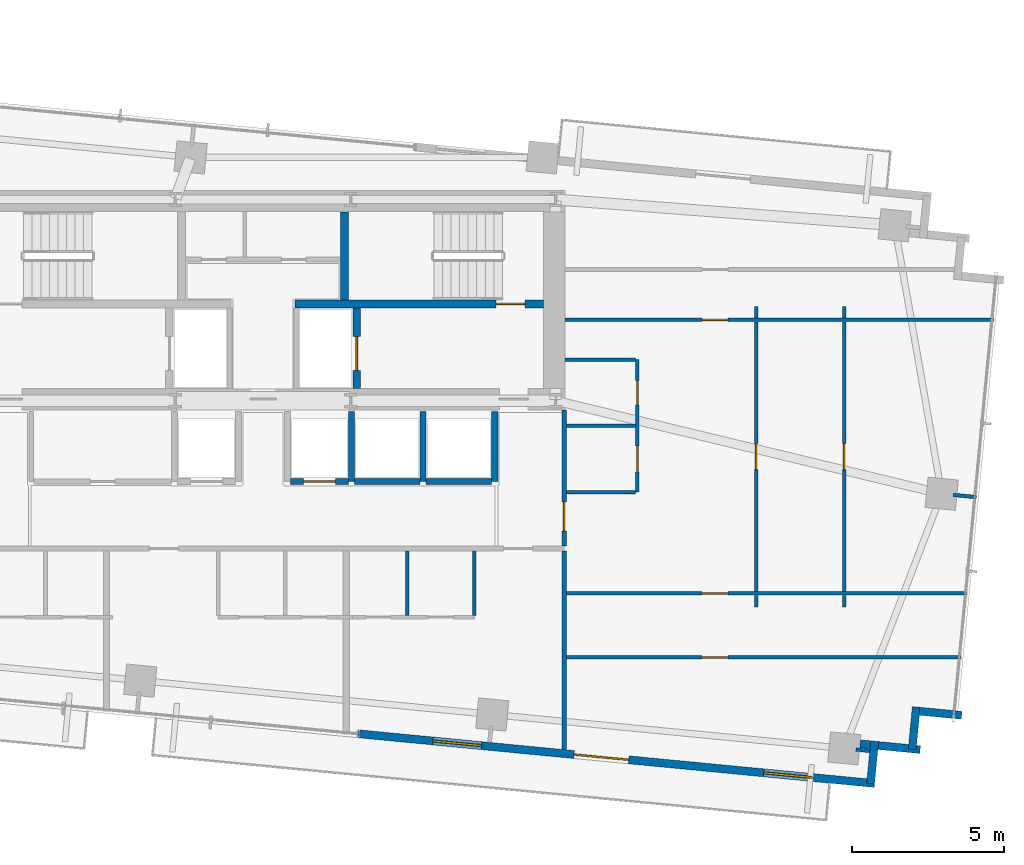
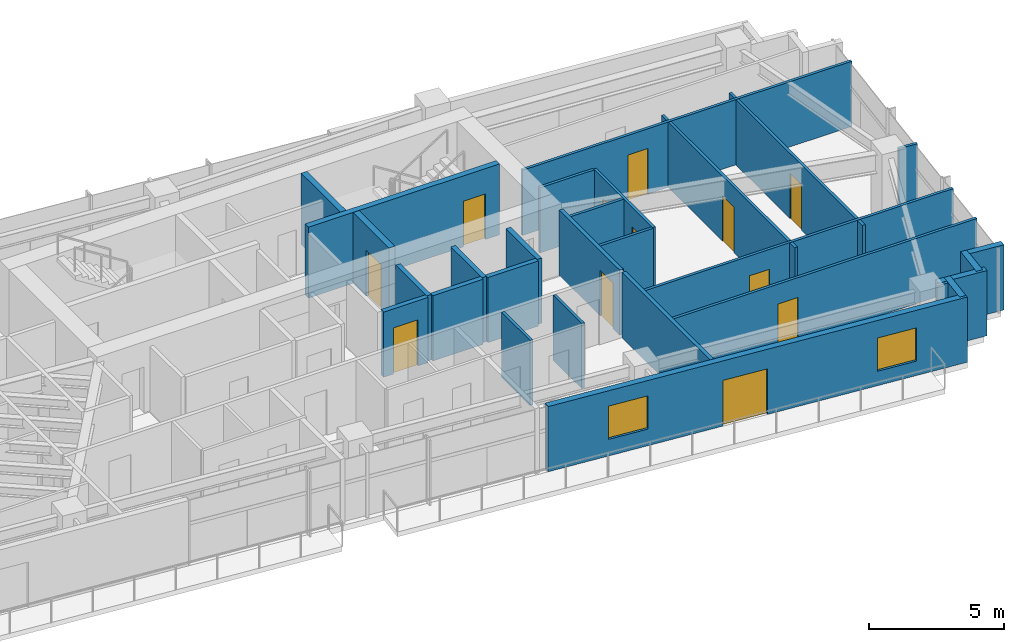
# One storey, part 17 of 20: 33 walls, 12 doors, 2 windows, 14 openings.
"""IFC4 building model written with IfcOpenShell, lengths in metres."""

from ifc_helpers import new_model, si_unit, direction, frame, frame_2d, origin, place, context, subcontext, project, spatial, rectangle, extrude, source, transform, mapped, material, layer, layer_set, type_object, type_shapes, element, fill, save


model = new_model("IFC4")

# Units and contexts
model_context = context("Model", 3, precision=1e-05, world=origin(), true_north=direction((0.0, 1.0)))
body_context = subcontext(model_context, "Body", "Model", "MODEL_VIEW")
ifc_project = project(units=[si_unit("LENGTHUNIT", "METRE"), si_unit("AREAUNIT", "SQUARE_METRE"), si_unit("VOLUMEUNIT", "CUBIC_METRE"), si_unit("PLANEANGLEUNIT", "RADIAN"), si_unit("MASSUNIT", "GRAM", prefix="KILO")], contexts=[model_context])

# Site, building, storey
site_placement = place(None, origin())
site = spatial("IfcSite", under=ifc_project, at=site_placement, CompositionType="ELEMENT")
building_placement = place(site_placement, origin())
building = spatial("IfcBuilding", under=site, at=building_placement, Name="Astriad Promenade Condominiums", CompositionType="ELEMENT")
storey_placement = place(building_placement, frame((0.0, 0.0, 153.39990234375)))
storey = spatial("IfcBuildingStorey", under=building, at=storey_placement, Name="L44", CompositionType="ELEMENT", Elevation=153.39990234375)

# Wall, opening, door
ifc_material_1 = material(Name="Concrete C50/60", Category="concrete")
ifc_layer_1 = layer(ifc_material_1, 0.25)
ifc_layer_set_1 = layer_set([ifc_layer_1], Name="Concrete C50/60")
wall_type_1 = type_object("IfcWallType", Name="WALL-CORE-INT-250", PredefinedType="SOLIDWALL", material=ifc_layer_set_1)
wall_1_placement = place(storey_placement, frame((37.050048828125, 20.574951171875, 0.0), z_axis=(0.0, 0.0, 1.0), x_axis=(1.0, 0.0, 0.0)))
wall_1 = element("IfcWall", 1, at=wall_1_placement, inside=storey, type_object=wall_type_1, Name="CW-INT-H2-L44", PredefinedType="SOLIDWALL", context=body_context, shape_type="SweptSolid", body=[
    extrude(rectangle(XDim=8.14794921875, YDim=0.25, at=frame_2d((4.073974609375, 0.0))), origin(), (0.0, 0.0, 1.0), 3.2001953125),
])
opening_1_placement = place(wall_1_placement, frame((6.60009765625, 0.0, 0.0)))
opening_1 = element("IfcOpeningElement", 2, at=opening_1_placement, cuts=wall_1, Name="Opening FD90-ST-095", PredefinedType="OPENING", context=body_context, shape_type="SweptSolid", body=[
    extrude(rectangle(XDim=0.949951171875, YDim=2.06005859375, at=frame_2d((0.47509765625, 1.030029296875))), frame((0.0, 0.135009765625, 0.0), z_axis=(0.0, -1.0, 0.0), x_axis=(1.0, 0.0, 0.0)), (0.0, 0.0, 1.0), 0.27001953125),
])
ifc_material_2 = material(Name="Fire-Rated Hollow Metal Stair Door")
door_type_1 = type_object("IfcDoorType", Name="FD90-ST-095", OperationType="NOTDEFINED", PredefinedType="DOOR", material=ifc_material_2)
shared_shape_1 = source(origin(), body_context, "Body", "SweptSolid", [
    extrude(rectangle(XDim=0.949951171875, YDim=2.06005859375, at=frame_2d((0.47509765625, 1.030029296875))), frame((0.0, 0.02490234375, 0.0), z_axis=(0.0, -1.0, 0.0), x_axis=(1.0, 0.0, 0.0)), (0.0, 0.0, 1.0), 0.050048828125),
])
type_shapes(door_type_1, [shared_shape_1])
door_1_placement = place(opening_1_placement, origin())
door_1 = element("IfcDoor", 3, at=door_1_placement, inside=storey, type_object=door_type_1, Name="D-ST2-L44", OperationType="SINGLE_SWING_RIGHT", OverallHeight=2.06005859375, OverallWidth=0.949951171875, PredefinedType="DOOR", context=body_context, shape_type="MappedRepresentation", body=[
    mapped(shared_shape_1, transform((0.0, 0.0, 0.0), scale=1.0)),
])
fill(opening_1, door_1)

# Wall
wall_2_placement = place(storey_placement, frame((38.675048828125, 20.701904296875, 0.0), z_axis=(0.0, 0.0, 1.0), x_axis=(0.0, 1.0, 0.0)))
element("IfcWall", 4, at=wall_2_placement, inside=storey, type_object=wall_type_1, Name="CW-ST2-W-L44", PredefinedType="SOLIDWALL", context=body_context, shape_type="SweptSolid", body=[
    extrude(rectangle(XDim=2.89599609375, YDim=0.25, at=frame_2d((1.447998046875, 0.0))), origin(), (0.0, 0.0, 1.0), 3.2001953125),
])

# Wall, opening, door
wall_3_placement = place(storey_placement, frame((39.074951171875, 17.802001953125, 0.0), z_axis=(0.0, 0.0, 1.0), x_axis=(0.0, 1.0, 0.0)))
wall_3 = element("IfcWall", 5, at=wall_3_placement, inside=storey, type_object=wall_type_1, Name="CW-FFL2-E-L44", PredefinedType="SOLIDWALL", context=body_context, shape_type="SweptSolid", body=[
    extrude(rectangle(XDim=2.64599609375, YDim=0.25, at=frame_2d((1.322998046875, 0.0))), origin(), (0.0, 0.0, 1.0), 3.2001953125),
])
opening_2_placement = place(wall_3_placement, frame((0.597900390625, 0.0, 0.0)))
opening_2 = element("IfcOpeningElement", 6, at=opening_2_placement, cuts=wall_3, Name="Opening LD-FFL-1122", PredefinedType="OPENING", context=body_context, shape_type="SweptSolid", body=[
    extrude(rectangle(XDim=1.10009765625, YDim=2.080078125, at=frame_2d((0.550048828125, 1.0400390625))), frame((0.0, 0.135009765625, 0.0), z_axis=(0.0, -1.0, 0.0), x_axis=(1.0, 0.0, 0.0)), (0.0, 0.0, 1.0), 0.27001953125),
])
ifc_material_3 = material(Name="Brushed Stainless Steel Fire Elevator Landing Door", Category="steel")
door_type_2 = type_object("IfcDoorType", Name="LD-FFL-1122", OperationType="NOTDEFINED", PredefinedType="DOOR", material=ifc_material_3)
shared_shape_2 = source(origin(), body_context, "Body", "SweptSolid", [
    extrude(rectangle(XDim=1.10009765625, YDim=2.080078125, at=frame_2d((0.550048828125, 1.0400390625))), frame((0.0, 0.02490234375, 0.0), z_axis=(0.0, -1.0, 0.0), x_axis=(1.0, 0.0, 0.0)), (0.0, 0.0, 1.0), 0.050048828125),
])
type_shapes(door_type_2, [shared_shape_2])
door_2_placement = place(opening_2_placement, origin())
door_2 = element("IfcDoor", 7, at=door_2_placement, inside=storey, type_object=door_type_2, Name="Elevator Landing Door FFL-2 (L44)", OperationType="SLIDING_TO_RIGHT", OverallHeight=2.080078125, OverallWidth=1.10009765625, PredefinedType="DOOR", context=body_context, shape_type="MappedRepresentation", body=[
    mapped(shared_shape_2, transform((0.0, 0.0, 0.0), scale=1.0)),
])
fill(opening_2, door_2)

# Wall
ifc_material_4 = material(Name="Fire-Rated Gypsum Partition")
ifc_layer_2 = layer(ifc_material_4, 0.159912109375)
ifc_layer_set_2 = layer_set([ifc_layer_2], Name="Fire-Rated Gypsum Partition")
wall_type_2 = type_object("IfcWallType", Name="WALL-CORR-160", PredefinedType="PARTITIONING", material=ifc_layer_set_2)
wall_4_placement = place(storey_placement, frame((45.8798828125, 5.95849609375, 0.0), z_axis=(0.0, 0.0, 1.0), x_axis=(0.0, 1.0, 0.0)))
element("IfcWall", 8, at=wall_4_placement, inside=storey, type_object=wall_type_2, Name="PT-COR-E-L44", PredefinedType="PARTITIONING", context=body_context, shape_type="SweptSolid", body=[
    extrude(rectangle(XDim=6.509521484375, YDim=0.159912109375, at=frame_2d((3.2548828125, 0.0))), origin(), (0.0, 0.0, 1.0), 2.940185546875),
])

# Wall, opening, door
wall_5_placement = place(storey_placement, frame((45.8798828125, 12.632080078125, 0.0), z_axis=(0.0, 0.0, 1.0), x_axis=(0.0, 1.0, 0.0)))
wall_5 = element("IfcWall", 9, at=wall_5_placement, inside=storey, type_object=wall_type_2, Name="PT-COR-E-L44-S2", PredefinedType="PARTITIONING", context=body_context, shape_type="SweptSolid", body=[
    extrude(rectangle(XDim=4.4658203125, YDim=0.159912109375, at=frame_2d((2.23291015625, 0.0))), origin(), (0.0, 0.0, 1.0), 2.940185546875),
])
opening_3_placement = place(wall_5_placement, frame((0.492919921875, 0.0, 0.0)))
opening_3 = element("IfcOpeningElement", 10, at=opening_3_placement, cuts=wall_5, Name="Opening FD60-APT-095", PredefinedType="OPENING", context=body_context, shape_type="SweptSolid", body=[
    extrude(rectangle(XDim=0.949951171875, YDim=2.06005859375, at=frame_2d((0.47509765625, 1.030029296875))), frame((0.0, 0.08984375, 0.0), z_axis=(0.0, -1.0, 0.0), x_axis=(1.0, 0.0, 0.0)), (0.0, 0.0, 1.0), 0.179931640625),
])
ifc_material_5 = material(Name="Solid-Core Acoustic Timber Residence Entry Door", Category="wood")
door_type_3 = type_object("IfcDoorType", Name="FD60-APT-095", OperationType="NOTDEFINED", PredefinedType="DOOR", material=ifc_material_5)
shared_shape_3 = source(origin(), body_context, "Body", "SweptSolid", [
    extrude(rectangle(XDim=0.949951171875, YDim=2.06005859375, at=frame_2d((0.47509765625, 1.030029296875))), frame((0.0, 0.02490234375, 0.0), z_axis=(0.0, -1.0, 0.0), x_axis=(1.0, 0.0, 0.0)), (0.0, 0.0, 1.0), 0.050048828125),
])
type_shapes(door_type_3, [shared_shape_3])
door_3_placement = place(opening_3_placement, origin())
door_3 = element("IfcDoor", 11, at=door_3_placement, inside=storey, type_object=door_type_3, Name="D-ENT-L44-E1", OperationType="SINGLE_SWING_LEFT", OverallHeight=2.06005859375, OverallWidth=0.949951171875, PredefinedType="DOOR", context=body_context, shape_type="MappedRepresentation", body=[
    mapped(shared_shape_3, transform((0.0, 0.0, 0.0), scale=1.0)),
])
fill(opening_3, door_3)

# Walls
ifc_material_6 = material(Name="Precast concrete C50/60", Category="concrete")
ifc_layer_3 = layer(ifc_material_6, 0.260009765625)
ifc_layer_set_3 = layer_set([ifc_layer_3], Name="Precast concrete C50/60")
wall_type_3 = type_object("IfcWallType", Name="WALL-EXT-TWR-260", PredefinedType="STANDARD", material=ifc_layer_set_3)
for number, where, z_axis, x_axis, name in (
    (12, (58.918701171875, 7.081787109375, 0.0), (0.0, 0.0, 1.0), (-0.995389446633, 0.095915846097, 0.0), "W-SER-L44-14"),
    (13, (57.42822265625, 7.35595703125, 0.0), (0.0, 0.0, 1.0), (-0.095915846097, -0.995389446633, 0.0), "W-SER-L44-15"),
):
    element("IfcWall", number, at=place(storey_placement, frame(where, z_axis=z_axis, x_axis=x_axis)), inside=storey, type_object=wall_type_3, Name=name, PredefinedType="STANDARD", context=body_context, shape_type="SweptSolid", body=[
        extrude(rectangle(XDim=1.394775390625, YDim=0.260009765625, at=frame_2d((0.697265625, 0.0))), origin(), (0.0, 0.0, 1.0), 2.940185546875),
    ])
wall_6_placement = place(storey_placement, frame((57.5546875, 5.95751953125, 0.0), z_axis=(0.0, 0.0, 1.0), x_axis=(-0.995401789159, 0.095787672171, 0.0)))
element("IfcWall", 14, at=wall_6_placement, inside=storey, type_object=wall_type_3, Name="W-SER-L44-16", PredefinedType="STANDARD", context=body_context, shape_type="SweptSolid", body=[
    extrude(rectangle(XDim=1.977783203125, YDim=0.260009765625, at=frame_2d((0.98876953125, 0.0))), origin(), (0.0, 0.0, 1.0), 2.940185546875),
])
wall_7_placement = place(storey_placement, frame((56.064208984375, 6.231689453125, 0.0), z_axis=(0.0, 0.0, 1.0), x_axis=(-0.09589913835, -0.995391056452, 0.0)))
element("IfcWall", 15, at=wall_7_placement, inside=storey, type_object=wall_type_3, Name="W-SER-L44-17", PredefinedType="STANDARD", context=body_context, shape_type="SweptSolid", body=[
    extrude(rectangle(XDim=1.39501953125, YDim=0.260009765625, at=frame_2d((0.697509765625, 0.0))), origin(), (0.0, 0.0, 1.0), 2.940185546875),
])

# Wall, openings, door, windows
wall_8_placement = place(storey_placement, frame((56.061279296875, 4.845458984375, 0.0), z_axis=(0.0, 0.0, 1.0), x_axis=(-0.995395976631, 0.095848055311, 0.0)))
wall_8 = element("IfcWall", 16, at=wall_8_placement, inside=storey, type_object=wall_type_3, Name="W-EXT-L44-S1", PredefinedType="STANDARD", context=body_context, shape_type="SweptSolid", body=[
    extrude(rectangle(XDim=17.010009765625, YDim=0.260009765625, at=frame_2d((8.5048828125, 0.0))), origin(), (0.0, 0.0, 1.0), 2.940185546875),
])
opening_4_placement = place(wall_8_placement, frame((8.10400390625, 0.0, 0.0)))
opening_4 = element("IfcOpeningElement", 17, at=opening_4_placement, cuts=wall_8, Name="Opening BD-1822-SLD", PredefinedType="OPENING", context=body_context, shape_type="SweptSolid", body=[
    extrude(rectangle(XDim=1.800048828125, YDim=2.06005859375, at=frame_2d((0.89990234375, 1.030029296875))), frame((0.0, 0.139892578125, 0.0), z_axis=(0.0, -1.0, 0.0), x_axis=(1.0, 0.0, 0.0)), (0.0, 0.0, 1.0), 0.280029296875),
])
opening_5_placement = place(wall_8_placement, frame((2.050048828125, 0.0, 0.64990234375)))
opening_5 = element("IfcOpeningElement", 18, at=opening_5_placement, cuts=wall_8, Name="Opening WIN-TWR-1620", PredefinedType="OPENING", context=body_context, shape_type="SweptSolid", body=[
    extrude(rectangle(XDim=1.60009765625, YDim=1.5, at=frame_2d((0.800048828125, 0.75))), frame((0.0, 0.139892578125, 0.0), z_axis=(0.0, -1.0, 0.0), x_axis=(1.0, 0.0, 0.0)), (0.0, 0.0, 1.0), 0.280029296875),
])
opening_6_placement = place(wall_8_placement, frame((12.951904296875, 0.0, 0.75)))
opening_6 = element("IfcOpeningElement", 19, at=opening_6_placement, cuts=wall_8, Name="Opening WIN-TWR-1620", PredefinedType="OPENING", context=body_context, shape_type="SweptSolid", body=[
    extrude(rectangle(XDim=1.60009765625, YDim=1.5, at=frame_2d((0.800048828125, 0.75))), frame((0.0, 0.139892578125, 0.0), z_axis=(0.0, -1.0, 0.0), x_axis=(1.0, 0.0, 0.0)), (0.0, 0.0, 1.0), 0.280029296875),
])
ifc_material_7 = material(Name="Thermally Broken Aluminium Sliding Balcony Door", Category="aluminium")
door_type_4 = type_object("IfcDoorType", Name="BD-1822-SLD", OperationType="NOTDEFINED", PredefinedType="DOOR", material=ifc_material_7)
shared_shape_4 = source(origin(), body_context, "Body", "SweptSolid", [
    extrude(rectangle(XDim=1.800048828125, YDim=2.06005859375, at=frame_2d((0.89990234375, 1.030029296875))), frame((0.0, 0.02490234375, 0.0), z_axis=(0.0, -1.0, 0.0), x_axis=(1.0, 0.0, 0.0)), (0.0, 0.0, 1.0), 0.050048828125),
])
type_shapes(door_type_4, [shared_shape_4])
door_4_placement = place(opening_4_placement, origin())
door_4 = element("IfcDoor", 20, at=door_4_placement, inside=storey, type_object=door_type_4, Name="BD-L44-SE", OperationType="SLIDING_TO_RIGHT", OverallHeight=2.06005859375, OverallWidth=1.800048828125, PredefinedType="DOOR", context=body_context, shape_type="MappedRepresentation", body=[
    mapped(shared_shape_4, transform((0.0, 0.0, 0.0), scale=1.0)),
])
fill(opening_4, door_4)
ifc_material_8 = material(Name="Dark Tinted Triple-Glazed Aluminium Window", Category="aluminium")
window_type = type_object("IfcWindowType", Name="WIN-TWR-1620", PartitioningType="SINGLE_PANEL", PredefinedType="WINDOW", material=ifc_material_8)
shared_shape_5 = source(origin(), body_context, "Body", "SweptSolid", [
    extrude(rectangle(XDim=1.60009765625, YDim=1.5, at=frame_2d((0.800048828125, 0.75))), frame((0.0, 0.030029296875, 0.0), z_axis=(0.0, -1.0, 0.0), x_axis=(1.0, 0.0, 0.0)), (0.0, 0.0, 1.0), 0.06005859375),
])
type_shapes(window_type, [shared_shape_5])
window_1_placement = place(opening_5_placement, origin())
window_1 = element("IfcWindow", 21, at=window_1_placement, inside=storey, type_object=window_type, Name="WIN-L44-SE", OverallHeight=1.5, OverallWidth=1.60009765625, PartitioningType="SINGLE_PANEL", PredefinedType="WINDOW", context=body_context, shape_type="MappedRepresentation", body=[
    mapped(shared_shape_5, transform((0.0, 0.0, 0.0), scale=1.0)),
])
fill(opening_5, window_1)
window_2_placement = place(opening_6_placement, origin())
window_2 = element("IfcWindow", 22, at=window_2_placement, inside=storey, type_object=window_type, Name="WIN-DW-L44-S3-STD", OverallHeight=1.5, OverallWidth=1.60009765625, PartitioningType="SINGLE_PANEL", PredefinedType="WINDOW", context=body_context, shape_type="MappedRepresentation", body=[
    mapped(shared_shape_5, transform((0.0, 0.0, 0.0), scale=1.0)),
])
fill(opening_6, window_2)

# Walls
ifc_material_9 = material(Name="Acoustic Metal-Stud Gypsum Partition")
ifc_layer_4 = layer(ifc_material_9, 0.1201171875)
ifc_layer_set_4 = layer_set([ifc_layer_4], Name="Acoustic Metal-Stud Gypsum Partition")
wall_type_4 = type_object("IfcWallType", Name="WALL-PART-120", PredefinedType="PARTITIONING", material=ifc_layer_set_4)
for number, where, z_axis, x_axis, name in (
    (23, (42.930908203125, 10.362060546875, 0.0), (0.0, 0.0, 1.0), (0.0, 1.0, 0.0), "PT-L44-S3-PK"),
    (24, (40.73095703125, 10.362060546875, 0.0), (0.0, 0.0, 1.0), (0.0, 1.0, 0.0), "PT-L44-S3-PB"),
):
    element("IfcWall", number, at=place(storey_placement, frame(where, z_axis=z_axis, x_axis=x_axis)), inside=storey, type_object=wall_type_4, Name=name, PredefinedType="PARTITIONING", context=body_context, shape_type="SweptSolid", body=[
        extrude(rectangle(XDim=2.10595703125, YDim=0.1201171875, at=frame_2d((1.052978515625, 0.0))), origin(), (0.0, 0.0, 1.0), 2.940185546875),
    ])

# Wall, openings, doors
wall_9_placement = place(storey_placement, frame((48.280029296875, 14.39990234375, 0.0), z_axis=(0.0, 0.0, 1.0), x_axis=(0.0, 1.0, 0.0)))
wall_9 = element("IfcWall", 25, at=wall_9_placement, inside=storey, type_object=wall_type_4, Name="PT-L44-E1-PV", PredefinedType="PARTITIONING", context=body_context, shape_type="SweptSolid", body=[
    extrude(rectangle(XDim=4.35009765625, YDim=0.1201171875, at=frame_2d((2.175048828125, 0.0))), origin(), (0.0, 0.0, 1.0), 2.940185546875),
])
opening_7_placement = place(wall_9_placement, frame((0.6630859375, 0.0, 0.0)))
opening_7 = element("IfcOpeningElement", 26, at=opening_7_placement, cuts=wall_9, Name="Opening D-INT-085", PredefinedType="OPENING", context=body_context, shape_type="SweptSolid", body=[
    extrude(rectangle(XDim=0.85009765625, YDim=2.050048828125, at=frame_2d((0.425048828125, 1.02490234375))), frame((0.0, 0.070068359375, 0.0), z_axis=(0.0, -1.0, 0.0), x_axis=(1.0, 0.0, 0.0)), (0.0, 0.0, 1.0), 0.14013671875),
])
opening_8_placement = place(wall_9_placement, frame((2.863037109375, 0.0, 0.0)))
opening_8 = element("IfcOpeningElement", 27, at=opening_8_placement, cuts=wall_9, Name="Opening D-WET-080", PredefinedType="OPENING", context=body_context, shape_type="SweptSolid", body=[
    extrude(rectangle(XDim=0.800048828125, YDim=2.02001953125, at=frame_2d((0.39990234375, 1.010009765625))), frame((0.0, 0.070068359375, 0.0), z_axis=(0.0, -1.0, 0.0), x_axis=(1.0, 0.0, 0.0)), (0.0, 0.0, 1.0), 0.14013671875),
])
ifc_material_10 = material(Name="Moisture-Resistant Timber Bathroom Door", Category="wood")
door_type_5 = type_object("IfcDoorType", Name="D-WET-080", OperationType="NOTDEFINED", PredefinedType="DOOR", material=ifc_material_10)
shared_shape_6 = source(origin(), body_context, "Body", "SweptSolid", [
    extrude(rectangle(XDim=0.800048828125, YDim=2.02001953125, at=frame_2d((0.39990234375, 1.010009765625))), frame((0.0, 0.02490234375, 0.0), z_axis=(0.0, -1.0, 0.0), x_axis=(1.0, 0.0, 0.0)), (0.0, 0.0, 1.0), 0.050048828125),
])
type_shapes(door_type_5, [shared_shape_6])
door_5_placement = place(opening_8_placement, origin())
door_5 = element("IfcDoor", 28, at=door_5_placement, inside=storey, type_object=door_type_5, Name="D-BTH-L44-E1", OperationType="SINGLE_SWING_LEFT", OverallHeight=2.02001953125, OverallWidth=0.800048828125, PredefinedType="DOOR", context=body_context, shape_type="MappedRepresentation", body=[
    mapped(shared_shape_6, transform((0.0, 0.0, 0.0), scale=1.0)),
])
fill(opening_8, door_5)
ifc_material_11 = material(Name="Painted Solid-Core Timber Room Door", Category="wood")
door_type_6 = type_object("IfcDoorType", Name="D-INT-085", OperationType="NOTDEFINED", PredefinedType="DOOR", material=ifc_material_11)
shared_shape_7 = source(origin(), body_context, "Body", "SweptSolid", [
    extrude(rectangle(XDim=0.85009765625, YDim=2.050048828125, at=frame_2d((0.425048828125, 1.02490234375))), frame((0.0, 0.02490234375, 0.0), z_axis=(0.0, -1.0, 0.0), x_axis=(1.0, 0.0, 0.0)), (0.0, 0.0, 1.0), 0.050048828125),
])
type_shapes(door_type_6, [shared_shape_7])
door_6_placement = place(opening_7_placement, origin())
door_6 = element("IfcDoor", 29, at=door_6_placement, inside=storey, type_object=door_type_6, Name="D-KIT-L44-E1", OperationType="SINGLE_SWING_RIGHT", OverallHeight=2.050048828125, OverallWidth=0.85009765625, PredefinedType="DOOR", context=body_context, shape_type="MappedRepresentation", body=[
    mapped(shared_shape_7, transform((0.0, 0.0, 0.0), scale=1.0)),
])
fill(opening_7, door_6)

# Walls
for number, where, z_axis, x_axis, name in (
    (30, (45.9619140625, 16.574951171875, 0.0), (0.0, 0.0, 1.0), (1.0, 0.0, 0.0), "PT-L44-E1-PM"),
    (31, (45.9619140625, 14.39990234375, 0.0), (0.0, 0.0, 1.0), (1.0, 0.0, 0.0), "PT-L44-E1-PS"),
):
    element("IfcWall", number, at=place(storey_placement, frame(where, z_axis=z_axis, x_axis=x_axis)), inside=storey, type_object=wall_type_4, Name=name, PredefinedType="PARTITIONING", context=body_context, shape_type="SweptSolid", body=[
        extrude(rectangle(XDim=2.256103515625, YDim=0.1201171875, at=frame_2d((1.1279296875, 0.0))), origin(), (0.0, 0.0, 1.0), 2.940185546875),
    ])
wall_10_placement = place(storey_placement, frame((45.902099609375, 18.75, 0.0), z_axis=(0.0, 0.0, 1.0), x_axis=(1.0, 0.0, 0.0)))
element("IfcWall", 32, at=wall_10_placement, inside=storey, type_object=wall_type_4, Name="PT-L44-E1-PN", PredefinedType="PARTITIONING", context=body_context, shape_type="SweptSolid", body=[
    extrude(rectangle(XDim=2.31591796875, YDim=0.1201171875, at=frame_2d((1.157958984375, 0.0))), origin(), (0.0, 0.0, 1.0), 2.940185546875),
])

# Wall, opening, door
wall_11_placement = place(storey_placement, frame((45.9619140625, 8.98193359375, 0.0), z_axis=(0.0, 0.0, 1.0), x_axis=(1.0, 0.0, 0.0)))
wall_11 = element("IfcWall", 33, at=wall_11_placement, inside=storey, type_object=wall_type_4, Name="PT-L44-E1-WDS1", PredefinedType="PARTITIONING", context=body_context, shape_type="SweptSolid", body=[
    extrude(rectangle(XDim=12.928955078125, YDim=0.1201171875, at=frame_2d((6.46435546875, 0.0))), origin(), (0.0, 0.0, 1.0), 2.940185546875),
])
opening_9_placement = place(wall_11_placement, frame((4.44091796875, 0.0, 0.0)))
opening_9 = element("IfcOpeningElement", 34, at=opening_9_placement, cuts=wall_11, Name="Opening D-INT-085", PredefinedType="OPENING", context=body_context, shape_type="SweptSolid", body=[
    extrude(rectangle(XDim=0.85009765625, YDim=2.050048828125, at=frame_2d((0.425048828125, 1.02490234375))), frame((0.0, 0.070068359375, 0.0), z_axis=(0.0, -1.0, 0.0), x_axis=(1.0, 0.0, 0.0)), (0.0, 0.0, 1.0), 0.14013671875),
])
door_7_placement = place(opening_9_placement, origin())
door_7 = element("IfcDoor", 35, at=door_7_placement, inside=storey, type_object=door_type_6, Name="D-WDS1-L44-E1", OperationType="SINGLE_SWING_RIGHT", OverallHeight=2.050048828125, OverallWidth=0.85009765625, PredefinedType="DOOR", context=body_context, shape_type="MappedRepresentation", body=[
    mapped(shared_shape_7, transform((0.0, 0.0, 0.0), scale=1.0)),
])
fill(opening_9, door_7)

wall_12_placement = place(storey_placement, frame((45.9619140625, 11.0810546875, 0.0), z_axis=(0.0, 0.0, 1.0), x_axis=(1.0, 0.0, 0.0)))
wall_12 = element("IfcWall", 36, at=wall_12_placement, inside=storey, type_object=wall_type_4, Name="PT-L44-E1-WDS3", PredefinedType="PARTITIONING", context=body_context, shape_type="SweptSolid", body=[
    extrude(rectangle(XDim=13.131103515625, YDim=0.1201171875, at=frame_2d((6.5654296875, 0.0))), origin(), (0.0, 0.0, 1.0), 2.940185546875),
])
opening_10_placement = place(wall_12_placement, frame((4.44091796875, 0.0, 0.0)))
opening_10 = element("IfcOpeningElement", 37, at=opening_10_placement, cuts=wall_12, Name="Opening D-INT-085", PredefinedType="OPENING", context=body_context, shape_type="SweptSolid", body=[
    extrude(rectangle(XDim=0.85009765625, YDim=2.050048828125, at=frame_2d((0.425048828125, 1.02490234375))), frame((0.0, 0.070068359375, 0.0), z_axis=(0.0, -1.0, 0.0), x_axis=(1.0, 0.0, 0.0)), (0.0, 0.0, 1.0), 0.14013671875),
])
door_8_placement = place(opening_10_placement, origin())
door_8 = element("IfcDoor", 38, at=door_8_placement, inside=storey, type_object=door_type_6, Name="D-WDS3-L44-E1", OperationType="SINGLE_SWING_RIGHT", OverallHeight=2.050048828125, OverallWidth=0.85009765625, PredefinedType="DOOR", context=body_context, shape_type="MappedRepresentation", body=[
    mapped(shared_shape_7, transform((0.0, 0.0, 0.0), scale=1.0)),
])
fill(opening_10, door_8)

wall_13_placement = place(storey_placement, frame((45.902099609375, 20.052978515625, 0.0), z_axis=(0.0, 0.0, 1.0), x_axis=(1.0, 0.0, 0.0)))
wall_13 = element("IfcWall", 39, at=wall_13_placement, inside=storey, type_object=wall_type_4, Name="PT-L44-E1-WDN4", PredefinedType="PARTITIONING", context=body_context, shape_type="SweptSolid", body=[
    extrude(rectangle(XDim=14.0546875, YDim=0.1201171875, at=frame_2d((7.02734375, 0.0))), origin(), (0.0, 0.0, 1.0), 2.940185546875),
])
opening_11_placement = place(wall_13_placement, frame((4.5009765625, 0.0, 0.0)))
opening_11 = element("IfcOpeningElement", 40, at=opening_11_placement, cuts=wall_13, Name="Opening D-INT-085", PredefinedType="OPENING", context=body_context, shape_type="SweptSolid", body=[
    extrude(rectangle(XDim=0.85009765625, YDim=2.050048828125, at=frame_2d((0.425048828125, 1.02490234375))), frame((0.0, 0.070068359375, 0.0), z_axis=(0.0, -1.0, 0.0), x_axis=(1.0, 0.0, 0.0)), (0.0, 0.0, 1.0), 0.14013671875),
])
door_9_placement = place(opening_11_placement, origin())
door_9 = element("IfcDoor", 41, at=door_9_placement, inside=storey, type_object=door_type_6, Name="D-WDN4-L44-E1", OperationType="SINGLE_SWING_LEFT", OverallHeight=2.050048828125, OverallWidth=0.85009765625, PredefinedType="DOOR", context=body_context, shape_type="MappedRepresentation", body=[
    mapped(shared_shape_7, transform((0.0, 0.0, 0.0), scale=1.0)),
])
fill(opening_11, door_9)

# Wall
wall_14_placement = place(storey_placement, frame((55.06103515625, 10.64111328125, 0.0), z_axis=(0.0, 0.0, 1.0), x_axis=(0.0, 1.0, 0.0)))
element("IfcWall", 42, at=wall_14_placement, inside=storey, type_object=wall_type_4, Name="PT-L44-E1-WDV5", PredefinedType="PARTITIONING", context=body_context, shape_type="SweptSolid", body=[
    extrude(rectangle(XDim=0.3779296875, YDim=0.1201171875, at=frame_2d((0.18896484375, 0.0))), origin(), (0.0, 0.0, 1.0), 2.940185546875),
])

# Wall, opening, door
wall_15_placement = place(storey_placement, frame((55.06103515625, 11.14306640625, 0.0), z_axis=(0.0, 0.0, 1.0), x_axis=(0.0, 1.0, 0.0)))
wall_15 = element("IfcWall", 43, at=wall_15_placement, inside=storey, type_object=wall_type_4, Name="PT-L44-E1-WDV5-S2", PredefinedType="PARTITIONING", context=body_context, shape_type="SweptSolid", body=[
    extrude(rectangle(XDim=8.847900390625, YDim=0.1201171875, at=frame_2d((4.423828125, 0.0))), origin(), (0.0, 0.0, 1.0), 2.940185546875),
])
opening_12_placement = place(wall_15_placement, frame((3.9990234375, 0.0, 0.0)))
opening_12 = element("IfcOpeningElement", 44, at=opening_12_placement, cuts=wall_15, Name="Opening D-INT-085", PredefinedType="OPENING", context=body_context, shape_type="SweptSolid", body=[
    extrude(rectangle(XDim=0.85009765625, YDim=2.050048828125, at=frame_2d((0.425048828125, 1.02490234375))), frame((0.0, 0.070068359375, 0.0), z_axis=(0.0, -1.0, 0.0), x_axis=(1.0, 0.0, 0.0)), (0.0, 0.0, 1.0), 0.14013671875),
])
door_10_placement = place(opening_12_placement, origin())
door_10 = element("IfcDoor", 45, at=door_10_placement, inside=storey, type_object=door_type_6, Name="D-WDV5-L44-E1", OperationType="SINGLE_SWING_RIGHT", OverallHeight=2.050048828125, OverallWidth=0.85009765625, PredefinedType="DOOR", context=body_context, shape_type="MappedRepresentation", body=[
    mapped(shared_shape_7, transform((0.0, 0.0, 0.0), scale=1.0)),
])
fill(opening_12, door_10)

# Walls
for number, where, z_axis, x_axis, name in (
    (46, (55.06103515625, 20.114990234375, 0.0), (0.0, 0.0, 1.0), (0.0, 1.0, 0.0), "PT-L44-E1-WDV5-S3"),
    (47, (52.177978515625, 10.64111328125, 0.0), (0.0, 0.0, 1.0), (0.0, 1.0, 0.0), "PT-L44-E1-WDV6"),
):
    element("IfcWall", number, at=place(storey_placement, frame(where, z_axis=z_axis, x_axis=x_axis)), inside=storey, type_object=wall_type_4, Name=name, PredefinedType="PARTITIONING", context=body_context, shape_type="SweptSolid", body=[
        extrude(rectangle(XDim=0.3779296875, YDim=0.1201171875, at=frame_2d((0.18896484375, 0.0))), origin(), (0.0, 0.0, 1.0), 2.940185546875),
    ])

# Wall, opening, door
wall_16_placement = place(storey_placement, frame((52.177978515625, 11.14306640625, 0.0), z_axis=(0.0, 0.0, 1.0), x_axis=(0.0, 1.0, 0.0)))
wall_16 = element("IfcWall", 48, at=wall_16_placement, inside=storey, type_object=wall_type_4, Name="PT-L44-E1-WDV6-S2", PredefinedType="PARTITIONING", context=body_context, shape_type="SweptSolid", body=[
    extrude(rectangle(XDim=8.847900390625, YDim=0.1201171875, at=frame_2d((4.423828125, 0.0))), origin(), (0.0, 0.0, 1.0), 2.940185546875),
])
opening_13_placement = place(wall_16_placement, frame((3.9990234375, 0.0, 0.0)))
opening_13 = element("IfcOpeningElement", 49, at=opening_13_placement, cuts=wall_16, Name="Opening D-INT-085", PredefinedType="OPENING", context=body_context, shape_type="SweptSolid", body=[
    extrude(rectangle(XDim=0.85009765625, YDim=2.050048828125, at=frame_2d((0.425048828125, 1.02490234375))), frame((0.0, 0.070068359375, 0.0), z_axis=(0.0, -1.0, 0.0), x_axis=(1.0, 0.0, 0.0)), (0.0, 0.0, 1.0), 0.14013671875),
])
door_11_placement = place(opening_13_placement, origin())
door_11 = element("IfcDoor", 50, at=door_11_placement, inside=storey, type_object=door_type_6, Name="D-WDV6-L44-E1", OperationType="SINGLE_SWING_LEFT", OverallHeight=2.050048828125, OverallWidth=0.85009765625, PredefinedType="DOOR", context=body_context, shape_type="MappedRepresentation", body=[
    mapped(shared_shape_7, transform((0.0, 0.0, 0.0), scale=1.0)),
])
fill(opening_13, door_11)

# Walls
wall_17_placement = place(storey_placement, frame((52.177978515625, 20.114990234375, 0.0), z_axis=(0.0, 0.0, 1.0), x_axis=(0.0, 1.0, 0.0)))
element("IfcWall", 51, at=wall_17_placement, inside=storey, type_object=wall_type_4, Name="PT-L44-E1-WDV6-S3", PredefinedType="PARTITIONING", context=body_context, shape_type="SweptSolid", body=[
    extrude(rectangle(XDim=0.3779296875, YDim=0.1201171875, at=frame_2d((0.18896484375, 0.0))), origin(), (0.0, 0.0, 1.0), 2.940185546875),
])
wall_18_placement = place(storey_placement, frame((55.4453125, 5.959716796875, 0.0), z_axis=(0.0, 0.0, 1.0), x_axis=(0.995384576284, -0.09596637586, 0.0)))
element("IfcWall", 52, at=wall_18_placement, inside=storey, type_object=wall_type_4, Name="PT-PIL-L44-PC05-12", PredefinedType="PARTITIONING", context=body_context, shape_type="SweptSolid", body=[
    extrude(rectangle(XDim=0.4580078125, YDim=0.1201171875, at=frame_2d((0.22900390625, 0.0))), origin(), (0.0, 0.0, 1.0), 2.940185546875),
])
wall_19_placement = place(storey_placement, frame((58.640380859375, 14.31201171875, 0.0), z_axis=(0.0, 0.0, 1.0), x_axis=(0.995377786728, -0.096036772582, 0.0)))
element("IfcWall", 53, at=wall_19_placement, inside=storey, type_object=wall_type_4, Name="PT-PIL-L44-PC12-19", PredefinedType="PARTITIONING", context=body_context, shape_type="SweptSolid", body=[
    extrude(rectangle(XDim=0.760009765625, YDim=0.1201171875, at=frame_2d((0.3798828125, 0.0))), origin(), (0.0, 0.0, 1.0), 2.940185546875),
])
ifc_material_12 = material(Name="Gypsum Shaftliner Assembly")
ifc_layer_5 = layer(ifc_material_12, 0.199951171875)
ifc_layer_set_5 = layer_set([ifc_layer_5], Name="Gypsum Shaftliner Assembly")
wall_type_5 = type_object("IfcWallType", Name="WALL-SHAFT-200", PredefinedType="PARTITIONING", material=ifc_layer_set_5)
wall_20_placement = place(storey_placement, frame((38.89990234375, 14.75, 0.0), z_axis=(0.0, 0.0, 1.0), x_axis=(0.0, 1.0, 0.0)))
element("IfcWall", 54, at=wall_20_placement, inside=storey, type_object=wall_type_5, Name="PL-MH-DIV-L44", PredefinedType="PARTITIONING", context=body_context, shape_type="SweptSolid", body=[
    extrude(rectangle(XDim=2.300048828125, YDim=0.199951171875, at=frame_2d((1.14990234375, 0.0))), origin(), (0.0, 0.0, 1.0), 2.940185546875),
])

# Wall, opening, door
wall_21_placement = place(storey_placement, frame((36.902099609375, 14.75, 0.0), z_axis=(0.0, 0.0, 1.0), x_axis=(1.0, 0.0, 0.0)))
wall_21 = element("IfcWall", 55, at=wall_21_placement, inside=storey, type_object=wall_type_5, Name="PL-M2-F-L44", PredefinedType="PARTITIONING", context=body_context, shape_type="SweptSolid", body=[
    extrude(rectangle(XDim=1.89599609375, YDim=0.199951171875, at=frame_2d((0.947998046875, 0.0))), origin(), (0.0, 0.0, 1.0), 2.940185546875),
])
opening_14_placement = place(wall_21_placement, frame((0.423095703125, 0.0, 0.0)))
opening_14 = element("IfcOpeningElement", 56, at=opening_14_placement, cuts=wall_21, Name="Opening LD-PL-10522", PredefinedType="OPENING", context=body_context, shape_type="SweptSolid", body=[
    extrude(rectangle(XDim=1.050048828125, YDim=2.080078125, at=frame_2d((0.52490234375, 1.0400390625))), frame((0.0, 0.10986328125, 0.0), z_axis=(0.0, -1.0, 0.0), x_axis=(1.0, 0.0, 0.0)), (0.0, 0.0, 1.0), 0.219970703125),
])
ifc_material_13 = material(Name="Brushed Bronze Passenger Elevator Landing Door")
door_type_7 = type_object("IfcDoorType", Name="LD-PL-10522", OperationType="NOTDEFINED", PredefinedType="DOOR", material=ifc_material_13)
shared_shape_8 = source(origin(), body_context, "Body", "SweptSolid", [
    extrude(rectangle(XDim=1.050048828125, YDim=2.080078125, at=frame_2d((0.52490234375, 1.0400390625))), frame((0.0, 0.02490234375, 0.0), z_axis=(0.0, -1.0, 0.0), x_axis=(1.0, 0.0, 0.0)), (0.0, 0.0, 1.0), 0.050048828125),
])
type_shapes(door_type_7, [shared_shape_8])
door_12_placement = place(opening_14_placement, origin())
door_12 = element("IfcDoor", 57, at=door_12_placement, inside=storey, type_object=door_type_7, Name="Elevator Landing Door PL-M2 (L44)", OperationType="SLIDING_TO_RIGHT", OverallHeight=2.080078125, OverallWidth=1.050048828125, PredefinedType="DOOR", context=body_context, shape_type="MappedRepresentation", body=[
    mapped(shared_shape_8, transform((0.0, 0.0, 0.0), scale=1.0)),
])
fill(opening_14, door_12)

# Walls
for number, where, z_axis, x_axis, name in (
    (58, (41.25, 14.75, 0.0), (0.0, 0.0, 1.0), (0.0, 1.0, 0.0), "PL-H-DIV-L44"),
    (59, (43.60009765625, 14.75, 0.0), (0.0, 0.0, 1.0), (0.0, 1.0, 0.0), "PL-E-OUT-L44"),
):
    element("IfcWall", number, at=place(storey_placement, frame(where, z_axis=z_axis, x_axis=x_axis)), inside=storey, type_object=wall_type_5, Name=name, PredefinedType="PARTITIONING", context=body_context, shape_type="SweptSolid", body=[
        extrude(rectangle(XDim=2.300048828125, YDim=0.199951171875, at=frame_2d((1.14990234375, 0.0))), origin(), (0.0, 0.0, 1.0), 2.940185546875),
    ])
for number, where, z_axis, x_axis, name in (
    (60, (39.001953125, 14.75, 0.0), (0.0, 0.0, 1.0), (1.0, 0.0, 0.0), "PL-H-FRT-L44"),
    (61, (41.35205078125, 14.75, 0.0), (0.0, 0.0, 1.0), (1.0, 0.0, 0.0), "PL-H-FRT-L44-S2"),
):
    element("IfcWall", number, at=place(storey_placement, frame(where, z_axis=z_axis, x_axis=x_axis)), inside=storey, type_object=wall_type_5, Name=name, PredefinedType="PARTITIONING", context=body_context, shape_type="SweptSolid", body=[
        extrude(rectangle(XDim=2.14599609375, YDim=0.199951171875, at=frame_2d((1.072998046875, 0.0))), origin(), (0.0, 0.0, 1.0), 2.940185546875),
    ])

save(model, "model.ifc")
